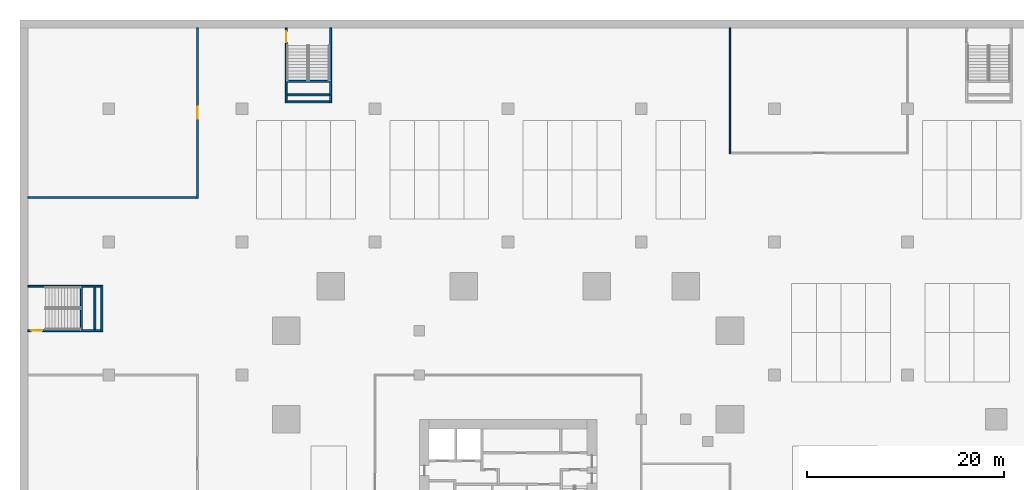
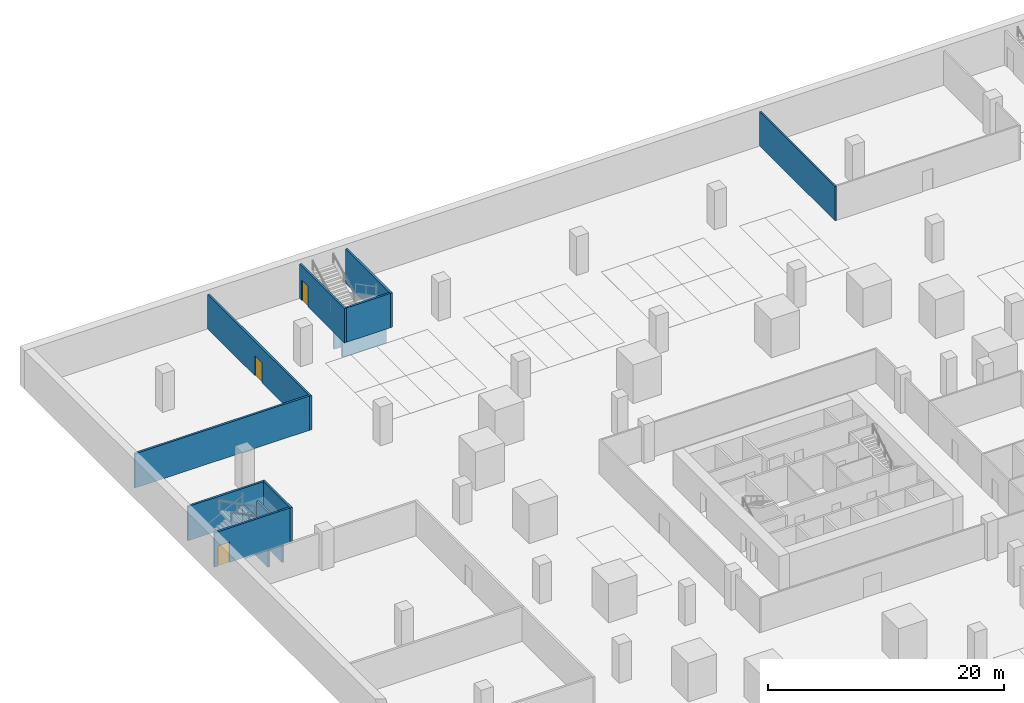
# One storey, part 9 of 31: 13 walls, 3 doors, 3 openings.
"""IFC4 building model written with IfcOpenShell, lengths in metres."""

from ifc_helpers import new_model, si_unit, direction, frame, frame_2d, origin, place, context, subcontext, project, spatial, rectangle, extrude, material, layer, layer_set, type_object, element, fill, save


model = new_model("IFC4")

# Units and contexts
model_context = context("Model", 3, precision=1e-05, world=origin(), true_north=direction((0.0, 1.0)))
body_context = subcontext(model_context, "Body", "Model", "MODEL_VIEW")
ifc_project = project(units=[si_unit("LENGTHUNIT", "METRE"), si_unit("AREAUNIT", "SQUARE_METRE"), si_unit("VOLUMEUNIT", "CUBIC_METRE"), si_unit("PLANEANGLEUNIT", "RADIAN"), si_unit("MASSUNIT", "GRAM", prefix="KILO")], contexts=[model_context])

# Site, building, storey
site_placement = place(None, origin())
site = spatial("IfcSite", under=ifc_project, at=site_placement, CompositionType="ELEMENT")
building_placement = place(site_placement, origin())
building = spatial("IfcBuilding", under=site, at=building_placement, Name="Altepetl Exchange Towers", CompositionType="ELEMENT")
storey_placement = place(building_placement, frame((0.0, 0.0, -4.0)))
storey = spatial("IfcBuildingStorey", under=building, at=storey_placement, Name="B1 Basement services", CompositionType="ELEMENT", Elevation=-4.0)

# Walls
ifc_material_1 = material(Name="Reinforced concrete C35/45", Category="concrete")
ifc_layer_1 = layer(ifc_material_1, 0.199951171875)
ifc_layer_set_1 = layer_set([ifc_layer_1], Name="Reinforced concrete C35/45")
wall_type_1 = type_object("IfcWallType", Name="Landing support wall 200", PredefinedType="SOLIDWALL", material=ifc_layer_set_1)
for number, where, z_axis, x_axis, name in (
    (1, (6.219970703125, 71.89990234375, -2.0), (0.0, 0.0, 1.0), (0.0, -1.0, 0.0), "wall:P:B1:ES4sup0"),
    (2, (7.60009765625, 71.89990234375, -2.0), (0.0, 0.0, 1.0), (0.0, -1.0, 0.0), "wall:P:B1:ES4sup1"),
    (3, (31.39990234375, 92.780029296875, -2.0), (0.0, 0.0, 1.0), (-1.0, 0.0, 0.0), "wall:P:B1:ES5sup0"),
    (4, (31.39990234375, 91.39990234375, -2.0), (0.0, 0.0, 1.0), (-1.0, 0.0, 0.0), "wall:P:B1:ES5sup1"),
):
    element("IfcWall", number, at=place(storey_placement, frame(where, z_axis=z_axis, x_axis=x_axis)), inside=storey, type_object=wall_type_1, Name=name, PredefinedType="SOLIDWALL", context=body_context, shape_type="SweptSolid", body=[
        extrude(rectangle(XDim=4.2998046875, YDim=0.199951171875, at=frame_2d((2.14990234375, 0.0))), origin(), (0.0, 0.0, 1.0), 3.800048828125),
    ])

# Wall, opening, door
ifc_material_2 = material(Name="Concrete block masonry", Category="masonry")
ifc_layer_2 = layer(ifc_material_2, 0.199951171875)
ifc_layer_set_2 = layer_set([ifc_layer_2], Name="Concrete block masonry")
wall_type_2 = type_object("IfcWallType", Name="Podium fire wall 200", PredefinedType="SOLIDWALL", material=ifc_layer_set_2)
wall_1_placement = place(storey_placement, frame((18.0, 80.89990234375, 0.0), z_axis=(0.0, 0.0, 1.0), x_axis=(0.0, 1.0, 0.0)))
wall_1 = element("IfcWall", 5, at=wall_1_placement, inside=storey, type_object=wall_type_2, Name="wall:P:B1:P009", PredefinedType="SOLIDWALL", context=body_context, shape_type="SweptSolid", body=[
    extrude(rectangle(XDim=17.300048828125, YDim=0.199951171875, at=frame_2d((8.64990234375, 0.0))), origin(), (0.0, 0.0, 1.0), 3.550048828125),
])
opening_1_placement = place(wall_1_placement, frame((8.10009765625, 0.0, 0.0)))
opening_1 = element("IfcOpeningElement", 6, at=opening_1_placement, cuts=wall_1, Name="Opening B1.P004", PredefinedType="OPENING", context=body_context, shape_type="SweptSolid", body=[
    extrude(rectangle(XDim=1.199951171875, YDim=2.10009765625, at=frame_2d((0.60009765625, 1.050048828125))), frame((0.0, 0.10986328125, 0.0), z_axis=(0.0, -1.0, 0.0), x_axis=(1.0, 0.0, 0.0)), (0.0, 0.0, 1.0), 0.219970703125),
])
ifc_material_3 = material(Name="Steel fire door", Category="steel")
door_type_1 = type_object("IfcDoorType", Name="Podium fire door 1200 x 2100 double leaf", OperationType="DOUBLE_DOOR_SINGLE_SWING", PredefinedType="DOOR", material=ifc_material_3)
door_1_placement = place(opening_1_placement, origin())
door_1 = element("IfcDoor", 7, at=door_1_placement, inside=storey, type_object=door_type_1, Name="door:P:B1:004", OperationType="DOUBLE_DOOR_SINGLE_SWING", OverallHeight=2.10009765625, OverallWidth=1.199951171875, PredefinedType="DOOR", context=body_context, shape_type="SweptSolid", body=[
    extrude(rectangle(XDim=1.199951171875, YDim=2.10009765625, at=frame_2d((0.60009765625, 1.050048828125))), frame((0.0, 0.02490234375, 0.0), z_axis=(0.0, -1.0, 0.0), x_axis=(1.0, 0.0, 0.0)), (0.0, 0.0, 1.0), 0.050048828125),
])
fill(opening_1, door_1)

# Walls
wall_2_placement = place(storey_placement, frame((0.800048828125, 81.0, 0.0)))
element("IfcWall", 8, at=wall_2_placement, inside=storey, type_object=wall_type_2, Name="wall:P:B1:P010", PredefinedType="SOLIDWALL", context=body_context, shape_type="SweptSolid", body=[
    extrude(rectangle(XDim=17.099853515625, YDim=0.199951171875, at=frame_2d((8.5498046875, 0.0))), origin(), (0.0, 0.0, 1.0), 3.550048828125),
])
ifc_material_4 = material(Name="Gypsum board on steel studs", Category="steel")
ifc_layer_3 = layer(ifc_material_4, 0.14990234375)
ifc_layer_set_3 = layer_set([ifc_layer_3], Name="Gypsum board on steel studs")
wall_type_3 = type_object("IfcWallType", Name="Podium partition 150", PredefinedType="PARTITIONING", material=ifc_layer_set_3)
wall_3_placement = place(storey_placement, frame((72.0, 85.425048828125, 0.0), z_axis=(0.0, 0.0, 1.0), x_axis=(0.0, 1.0, 0.0)))
element("IfcWall", 9, at=wall_3_placement, inside=storey, type_object=wall_type_3, Name="wall:P:B1:P015", PredefinedType="PARTITIONING", context=body_context, shape_type="SweptSolid", body=[
    extrude(rectangle(XDim=12.77490234375, YDim=0.14990234375, at=frame_2d((6.387451171875, 0.0))), origin(), (0.0, 0.0, 1.0), 3.550048828125),
])
ifc_layer_4 = layer(ifc_material_1, 0.199951171875)
ifc_layer_set_4 = layer_set([ifc_layer_4], Name="Reinforced concrete C35/45")
wall_type_4 = type_object("IfcWallType", Name="Stair enclosure wall 200", PredefinedType="SOLIDWALL", material=ifc_layer_set_4)
wall_4_placement = place(storey_placement, frame((8.300048828125, 67.39990234375, 0.0), z_axis=(0.0, 0.0, 1.0), x_axis=(0.0, 1.0, 0.0)))
element("IfcWall", 10, at=wall_4_placement, inside=storey, type_object=wall_type_4, Name="wall:P:B1:P067", PredefinedType="SOLIDWALL", context=body_context, shape_type="SweptSolid", body=[
    extrude(rectangle(XDim=4.7001953125, YDim=0.199951171875, at=frame_2d((2.35009765625, 0.0))), origin(), (0.0, 0.0, 1.0), 3.550048828125),
])

# Wall, opening, door
wall_5_placement = place(storey_placement, frame((0.800048828125, 67.5, 0.0)))
wall_5 = element("IfcWall", 11, at=wall_5_placement, inside=storey, type_object=wall_type_4, Name="wall:P:B1:P068", PredefinedType="SOLIDWALL", context=body_context, shape_type="SweptSolid", body=[
    extrude(rectangle(XDim=7.39990234375, YDim=0.199951171875, at=frame_2d((3.699951171875, 0.0))), origin(), (0.0, 0.0, 1.0), 3.550048828125),
])
opening_2_placement = place(wall_5_placement, frame((0.35009765625, 0.0, 0.0)))
opening_2 = element("IfcOpeningElement", 12, at=opening_2_placement, cuts=wall_5, Name="Opening B1.P016", PredefinedType="OPENING", context=body_context, shape_type="SweptSolid", body=[
    extrude(rectangle(XDim=1.10009765625, YDim=2.10009765625, at=frame_2d((0.550048828125, 1.050048828125))), frame((0.0, 0.10986328125, 0.0), z_axis=(0.0, -1.0, 0.0), x_axis=(1.0, 0.0, 0.0)), (0.0, 0.0, 1.0), 0.219970703125),
])
door_type_2 = type_object("IfcDoorType", Name="Podium fire door 1100 x 2100 single leaf", OperationType="SINGLE_SWING_LEFT", PredefinedType="DOOR", material=ifc_material_3)
door_2_placement = place(opening_2_placement, origin())
door_2 = element("IfcDoor", 13, at=door_2_placement, inside=storey, type_object=door_type_2, Name="door:P:B1:016", OperationType="SINGLE_SWING_RIGHT", OverallHeight=2.10009765625, OverallWidth=1.10009765625, PredefinedType="DOOR", context=body_context, shape_type="SweptSolid", body=[
    extrude(rectangle(XDim=1.10009765625, YDim=2.10009765625, at=frame_2d((0.550048828125, 1.050048828125))), frame((0.0, 0.02490234375, 0.0), z_axis=(0.0, -1.0, 0.0), x_axis=(1.0, 0.0, 0.0)), (0.0, 0.0, 1.0), 0.050048828125),
])
fill(opening_2, door_2)

# Wall
wall_6_placement = place(storey_placement, frame((0.800048828125, 72.0, 0.0)))
element("IfcWall", 14, at=wall_6_placement, inside=storey, type_object=wall_type_4, Name="wall:P:B1:P069", PredefinedType="SOLIDWALL", context=body_context, shape_type="SweptSolid", body=[
    extrude(rectangle(XDim=7.39990234375, YDim=0.199951171875, at=frame_2d((3.699951171875, 0.0))), origin(), (0.0, 0.0, 1.0), 3.550048828125),
])

# Wall, opening, door
wall_7_placement = place(storey_placement, frame((27.0, 90.60009765625, 0.0), z_axis=(0.0, 0.0, 1.0), x_axis=(0.0, 1.0, 0.0)))
wall_7 = element("IfcWall", 15, at=wall_7_placement, inside=storey, type_object=wall_type_4, Name="wall:P:B1:P070", PredefinedType="SOLIDWALL", context=body_context, shape_type="SweptSolid", body=[
    extrude(rectangle(XDim=7.599853515625, YDim=0.199951171875, at=frame_2d((3.7998046875, 0.0))), origin(), (0.0, 0.0, 1.0), 3.550048828125),
])
opening_3_placement = place(wall_7_placement, frame((6.14990234375, 0.0, 0.0)))
opening_3 = element("IfcOpeningElement", 16, at=opening_3_placement, cuts=wall_7, Name="Opening B1.P017", PredefinedType="OPENING", context=body_context, shape_type="SweptSolid", body=[
    extrude(rectangle(XDim=1.10009765625, YDim=2.10009765625, at=frame_2d((0.550048828125, 1.050048828125))), frame((0.0, 0.10986328125, 0.0), z_axis=(0.0, -1.0, 0.0), x_axis=(1.0, 0.0, 0.0)), (0.0, 0.0, 1.0), 0.219970703125),
])
door_3_placement = place(opening_3_placement, frame((1.10009765625, 0.0, 0.0), x_axis=(-1.0, 0.0, 0.0)))
door_3 = element("IfcDoor", 17, at=door_3_placement, inside=storey, type_object=door_type_2, Name="door:P:B1:017", OperationType="SINGLE_SWING_LEFT", OverallHeight=2.10009765625, OverallWidth=1.10009765625, PredefinedType="DOOR", context=body_context, shape_type="SweptSolid", body=[
    extrude(rectangle(XDim=1.10009765625, YDim=2.10009765625, at=frame_2d((0.550048828125, 1.050048828125))), frame((0.0, 0.02490234375, 0.0), z_axis=(0.0, -1.0, 0.0), x_axis=(1.0, 0.0, 0.0)), (0.0, 0.0, 1.0), 0.050048828125),
])
fill(opening_3, door_3)

# Walls
wall_8_placement = place(storey_placement, frame((31.5, 90.60009765625, 0.0), z_axis=(0.0, 0.0, 1.0), x_axis=(0.0, 1.0, 0.0)))
element("IfcWall", 18, at=wall_8_placement, inside=storey, type_object=wall_type_4, Name="wall:P:B1:P071", PredefinedType="SOLIDWALL", context=body_context, shape_type="SweptSolid", body=[
    extrude(rectangle(XDim=7.599853515625, YDim=0.199951171875, at=frame_2d((3.7998046875, 0.0))), origin(), (0.0, 0.0, 1.0), 3.550048828125),
])
wall_9_placement = place(storey_placement, frame((27.10009765625, 90.699951171875, 0.0)))
element("IfcWall", 19, at=wall_9_placement, inside=storey, type_object=wall_type_4, Name="wall:P:B1:P072", PredefinedType="SOLIDWALL", context=body_context, shape_type="SweptSolid", body=[
    extrude(rectangle(XDim=4.2998046875, YDim=0.199951171875, at=frame_2d((2.14990234375, 0.0))), origin(), (0.0, 0.0, 1.0), 3.550048828125),
])

save(model, "model.ifc")
